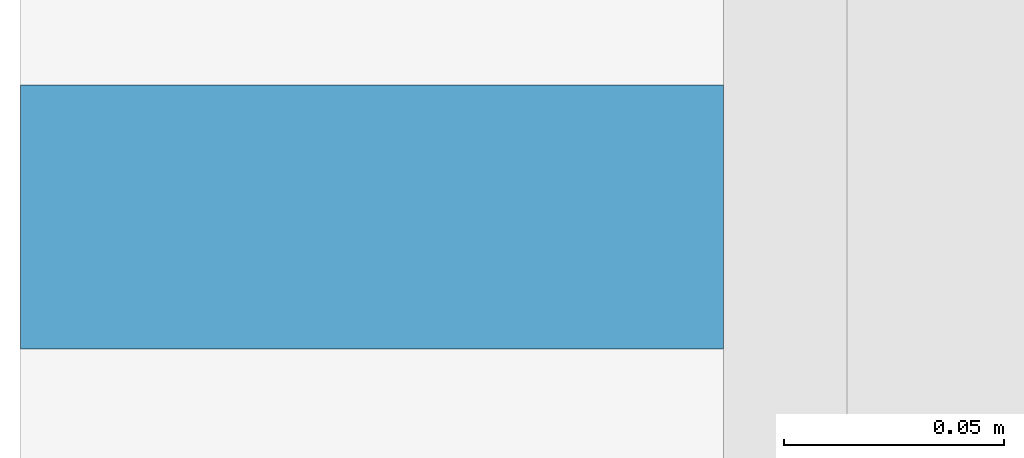
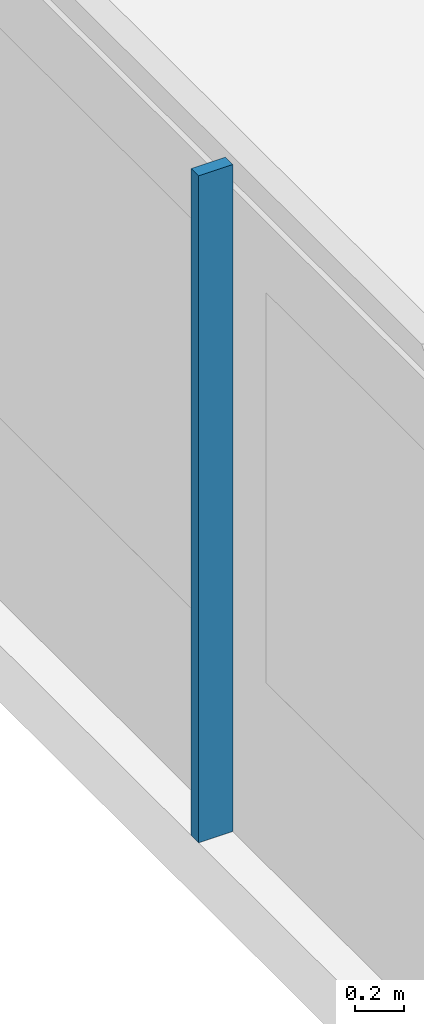
# One storey, part 4 of 26: 1 member, 1 element without a shape of its own.
"""IFC4 building model written with IfcOpenShell, lengths in metres."""

from ifc_helpers import new_model, si_unit, direction, frame, origin, origin_2d, place, context, subcontext, project, spatial, rectangle, extrude, material, material_profile, profile_set, type_object, element, aggregate, save


model = new_model("IFC4")

# Units and contexts
model_context = context("Model", 3, precision=1e-05, world=origin(), true_north=direction((0.0, 1.0)))
body_context = subcontext(model_context, "Body", "Model", "MODEL_VIEW")
ifc_project = project(units=[si_unit("LENGTHUNIT", "METRE"), si_unit("AREAUNIT", "SQUARE_METRE"), si_unit("VOLUMEUNIT", "CUBIC_METRE"), si_unit("PLANEANGLEUNIT", "RADIAN"), si_unit("MASSUNIT", "GRAM", prefix="KILO")], contexts=[model_context])

# Site, building, storey
site_placement = place(None, origin())
site = spatial("IfcSite", under=ifc_project, at=site_placement, CompositionType="ELEMENT")
building_placement = place(site_placement, origin())
building = spatial("IfcBuilding", under=site, at=building_placement, Name="Saffron Gate Tower", CompositionType="ELEMENT")
storey_placement = place(building_placement, frame((0.0, 0.0, 138.449951171875)))
storey = spatial("IfcBuildingStorey", under=building, at=storey_placement, Name="L33", CompositionType="ELEMENT", Elevation=138.449951171875)

# Curtain wall, member
ifc_material = material(Name="Aluminium, bronze anodised", Category="aluminium")
curtain_wall_type = type_object("IfcCurtainWallType", Name="CWS2 curtain wall side facades", PredefinedType="NOTDEFINED", material=ifc_material)
curtain_wall_placement = place(storey_placement, origin())
curtain_wall = element("IfcCurtainWall", 1, at=curtain_wall_placement, inside=storey, type_object=curtain_wall_type, Name="CWS2 run 10", PredefinedType="NOTDEFINED")
ifc_material_profile = material_profile(ifc_material, rectangle(XDim=0.159912109375, YDim=0.06005859375, at=origin_2d()))
ifc_profile_set = profile_set([ifc_material_profile], Name="Aluminium, bronze anodised")
member_type = type_object("IfcMemberType", Name="CWS2 mullion 60x160", PredefinedType="MULLION", material=ifc_profile_set)
member_placement = place(storey_placement, frame((48.080078125, 48.60009765625, 0.0), z_axis=(0.0, 0.0, 1.0), x_axis=(1.0, 0.0, 0.0)))
member = element("IfcMember", 2, at=member_placement, type_object=member_type, Name="CWS2 mullion 4", PredefinedType="MULLION", context=body_context, shape_type="SweptSolid", body=[
    extrude(rectangle(XDim=0.159912109375, YDim=0.06005859375, at=origin_2d()), origin(), (0.0, 0.0, 1.0), 3.300048828125),
])
aggregate(curtain_wall, [member])

save(model, "model.ifc")
